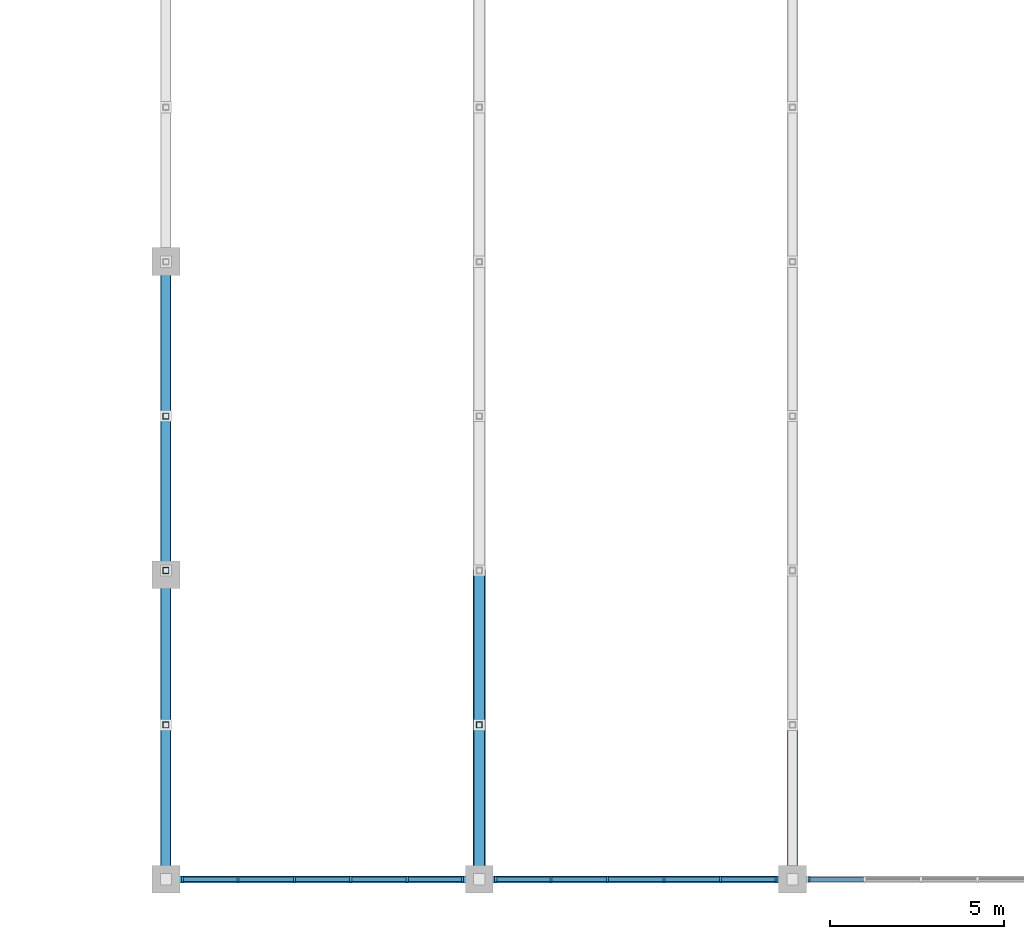
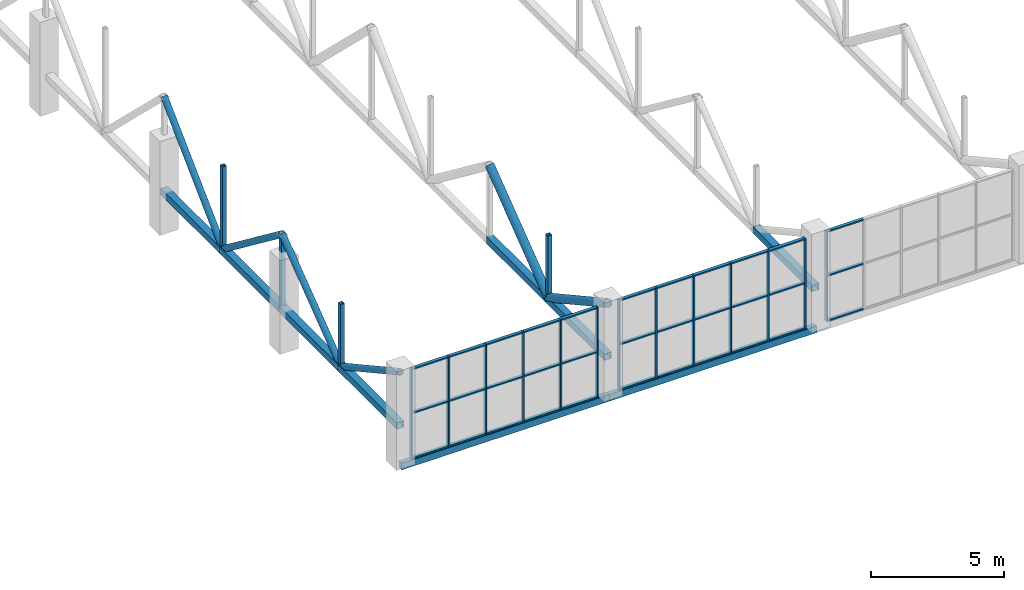
# One storey, part 15 of 103: 63 members, 2 beams, 3 elements without a shape of their own.
"""IFC4 building model written with IfcOpenShell, lengths in metres."""

import ifcopenshell
import ifcopenshell.guid

model = None  # the IFC model being written
_history = None  # IfcOwnerHistory: only IFC2X3 demands one
_inside = {}  # id of a spatial element -> (the spatial element, [elements in it])
_under = {}  # id of a project, library or spatial element -> (it, [spatial elements below it])
_declared = {}  # id of a project -> (the project, [libraries it declares])
_typed = {}  # id of a type object -> (the type object, [elements of that type])
_made_of = {}  # id of a material, layer set ... -> (it, [elements and type objects made of it])


def new_model(schema):
    """Start an empty IFC model of exactly this schema.

    Asked for "IFC4X3", IfcOpenShell would pick the latest addendum, in which some entities
    have other attributes; the version numbers below select the first issue.
    IFC2X3 requires an IfcOwnerHistory on every rooted entity: one is made here for all.
    """
    global model, _history
    if schema == "IFC4X3":
        model = ifcopenshell.file(schema_version=(4, 3, 0, 0))
    else:
        model = ifcopenshell.file(schema=schema)
    _inside.clear()
    _under.clear()
    _declared.clear()
    _typed.clear()
    _made_of.clear()
    _history = None
    if model.schema == "IFC2X3":
        org = make("IfcOrganization", Name="unknown")
        user = make(
            "IfcPersonAndOrganization",
            ThePerson=make("IfcPerson", FamilyName="unknown"),
            TheOrganization=org,
        )
        app = make(
            "IfcApplication",
            ApplicationDeveloper=org,
            Version="unknown",
            ApplicationFullName="unknown",
            ApplicationIdentifier="unknown",
        )
        _history = make(
            "IfcOwnerHistory",
            OwningUser=user,
            OwningApplication=app,
            ChangeAction="ADDED",
            CreationDate=0,
        )
    return model


def make(cls, **values):
    """One entity of the class cls with the attributes given. An attribute that is None is left unset."""
    return model.create_entity(
        cls, **{name: value for name, value in values.items() if value is not None}
    )


def rooted(cls, **values):
    """An entity with a GlobalId (a new one), such as an element, a storey or a relation."""
    return make(cls, GlobalId=ifcopenshell.guid.new(), OwnerHistory=_history, **values)


def si_unit(unit_type, name, prefix=None):
    """IfcSIUnit, for example si_unit("LENGTHUNIT", "METRE", prefix="MILLI")."""
    return make("IfcSIUnit", UnitType=unit_type, Prefix=prefix, Name=name)


def assignment(units):
    """IfcUnitAssignment: the units of a project."""
    return None if units is None else make("IfcUnitAssignment", Units=units)


def point(xyz):
    """IfcCartesianPoint."""
    return None if xyz is None else make("IfcCartesianPoint", Coordinates=xyz)


def direction(xyz):
    """IfcDirection."""
    return None if xyz is None else make("IfcDirection", DirectionRatios=xyz)


def frame(location, z_axis=None, x_axis=None):
    """IfcAxis2Placement3D, a coordinate frame: its origin and axes. An axis left out is left unset."""
    return make(
        "IfcAxis2Placement3D",
        Location=point(location),
        Axis=direction(z_axis),
        RefDirection=direction(x_axis),
    )


def frame_2d(location, x_axis=None):
    """IfcAxis2Placement2D, a coordinate frame in the plane: its origin and x axis."""
    return make(
        "IfcAxis2Placement2D", Location=point(location), RefDirection=direction(x_axis)
    )


def origin():
    """The frame at (0, 0, 0) with its axes left unset."""
    return frame((0.0, 0.0, 0.0))


def origin_2d():
    """The frame at (0, 0) in the plane with its x axis left unset."""
    return frame_2d((0.0, 0.0))


def place(relative_to, where):
    """IfcLocalPlacement: puts the frame where relative to a parent placement (None: the world)."""
    return make(
        "IfcLocalPlacement", PlacementRelTo=relative_to, RelativePlacement=where
    )


def context(
    kind, dimensions, precision=None, world=None, true_north=None, identifier=None
):
    """IfcGeometricRepresentationContext, for example the 3D "Model" context."""
    return make(
        "IfcGeometricRepresentationContext",
        ContextIdentifier=identifier,
        ContextType=kind,
        CoordinateSpaceDimension=dimensions,
        Precision=precision,
        WorldCoordinateSystem=world,
        TrueNorth=true_north,
    )


def subcontext(parent, identifier, kind, view, scale=None):
    """IfcGeometricRepresentationSubContext, for example "Body" below "Model"."""
    return make(
        "IfcGeometricRepresentationSubContext",
        ContextIdentifier=identifier,
        ContextType=kind,
        ParentContext=parent,
        TargetScale=scale,
        TargetView=view,
    )


def project(units=None, contexts=None):
    """IfcProject with its units and contexts."""
    return rooted(
        "IfcProject",
        Name="project",
        RepresentationContexts=contexts,
        UnitsInContext=assignment(units),
    )


def spatial(cls, under=None, at=None, **own):
    """A site, building, storey or space (cls), placed at a placement, below another one or the project."""
    s = rooted(cls, ObjectPlacement=at, **own)
    if under is not None:
        _under.setdefault(under.id(), (under, []))[1].append(s)
    return s


def profile(cls, at=None, kind="AREA", **sizes):
    """A parametric profile (cls). Its sizes go by their IFC names, for example OverallWidth=200.0."""
    return make(cls, ProfileType=kind, Position=at, **sizes)


def rectangle(**sizes):
    """IfcRectangleProfileDef."""
    return profile("IfcRectangleProfileDef", **sizes)


def hollow_rectangle(**sizes):
    """IfcRectangleHollowProfileDef."""
    return profile("IfcRectangleHollowProfileDef", **sizes)


def hollow_circle(**sizes):
    """IfcCircleHollowProfileDef."""
    return profile("IfcCircleHollowProfileDef", **sizes)


def extrude(swept, where, along, depth):
    """IfcExtrudedAreaSolid: the profile swept, set in the frame where, extruded along a direction by depth."""
    return make(
        "IfcExtrudedAreaSolid",
        SweptArea=swept,
        Position=where,
        ExtrudedDirection=direction(along),
        Depth=depth,
    )


def shape(context_of_items, identifier, shape_type, items):
    """IfcShapeRepresentation: the items that make up one representation, for example the "Body"."""
    return make(
        "IfcShapeRepresentation",
        ContextOfItems=context_of_items,
        RepresentationIdentifier=identifier,
        RepresentationType=shape_type,
        Items=items,
    )


def material(Name=None, Category=None):
    """IfcMaterial."""
    return make("IfcMaterial", Name=Name, Category=Category)


def layer(
    of_material, thickness, ventilated=None, Name=None, Category=None, Priority=None
):
    """IfcMaterialLayer: one layer of a wall or slab, of a material (None: an air gap)."""
    return make(
        "IfcMaterialLayer",
        Material=of_material,
        LayerThickness=thickness,
        IsVentilated=ventilated,
        Name=Name,
        Category=Category,
        Priority=Priority,
    )


def layer_set(layers, Name=None):
    """IfcMaterialLayerSet."""
    return make("IfcMaterialLayerSet", MaterialLayers=layers, LayerSetName=Name)


def material_profile(
    of_material, cross_section, Name=None, Category=None, Priority=None
):
    """IfcMaterialProfile: a cross section and its material."""
    return make(
        "IfcMaterialProfile",
        Name=Name,
        Material=of_material,
        Profile=cross_section,
        Priority=Priority,
        Category=Category,
    )


def profile_set(profiles, Name=None, composite=None):
    """IfcMaterialProfileSet."""
    return make(
        "IfcMaterialProfileSet",
        Name=Name,
        MaterialProfiles=profiles,
        CompositeProfile=composite,
    )


def made_of(thing, what):
    """Note that an element or type object is made of a material, layer set ...; save() writes the relation."""
    if what is not None:
        _made_of.setdefault(what.id(), (what, []))[1].append(thing)
    return thing


def type_object(cls, material=None, **own):
    """A type object (cls), such as IfcWallType, which elements share."""
    return made_of(rooted(cls, **own), material)


def element(
    cls,
    number,
    at=None,
    inside=None,
    cuts=None,
    type_object=None,
    material=None,
    context=None,
    identifier="Body",
    shape_type=None,
    held_by="IfcProductDefinitionShape",
    body=None,
    shapes=None,
    **own,
):
    """One element of the class cls, such as IfcWall. Its Tag is "e" and its number.

    at: its placement. inside: the storey or other place that contains it. cuts: it is an
    opening in that element (IfcRelVoidsElement). A single representation is given by context,
    identifier, shape_type and body (its items); several are given by shapes. held_by: the class
    of the entity that holds the representations. save() writes the other relations.
    """
    e = rooted(cls, Tag="e%d" % number, ObjectPlacement=at, **own)
    if body is not None:
        shapes = [shape(context, identifier, shape_type, body)]
    if shapes is not None:
        e.Representation = make(held_by, Representations=shapes)
    if inside is not None:
        _inside.setdefault(inside.id(), (inside, []))[1].append(e)
    if cuts is not None:
        rooted(
            "IfcRelVoidsElement", RelatingBuildingElement=cuts, RelatedOpeningElement=e
        )
    if type_object is not None:
        _typed.setdefault(type_object.id(), (type_object, []))[1].append(e)
    return made_of(e, material)


def aggregate(whole, parts):
    """IfcRelAggregates: a whole, such as a stair, and the parts it consists of."""
    return rooted("IfcRelAggregates", RelatingObject=whole, RelatedObjects=parts)


def save(model, path):
    """Write the relations noted so far, then the file.

    IfcRelAggregates (storeys below a building ...), IfcRelContainedInSpatialStructure (elements
    in a storey), IfcRelDefinesByType, IfcRelAssociatesMaterial and IfcRelDeclares: one each for
    every whole, place, type object, material and project.
    """
    for whole, parts in _under.values():
        aggregate(whole, parts)
    for where, things in _inside.values():
        rooted(
            "IfcRelContainedInSpatialStructure",
            RelatedElements=things,
            RelatingStructure=where,
        )
    for kind, things in _typed.values():
        rooted("IfcRelDefinesByType", RelatedObjects=things, RelatingType=kind)
    for what, things in _made_of.values():
        rooted("IfcRelAssociatesMaterial", RelatedObjects=things, RelatingMaterial=what)
    for by, libraries in _declared.values():
        rooted("IfcRelDeclares", RelatingContext=by, RelatedDefinitions=libraries)
    model.write(path)


model = new_model("IFC4")

# Units and contexts
model_context = context("Model", 3, precision=1e-05, world=origin(), true_north=direction((0.0, 1.0)))
body_context = subcontext(model_context, "Body", "Model", "MODEL_VIEW")
ifc_project = project(units=[si_unit("LENGTHUNIT", "METRE"), si_unit("AREAUNIT", "SQUARE_METRE"), si_unit("VOLUMEUNIT", "CUBIC_METRE"), si_unit("PLANEANGLEUNIT", "RADIAN"), si_unit("MASSUNIT", "GRAM", prefix="KILO")], contexts=[model_context])

# Site, building, storey
site_placement = place(None, origin())
site = spatial("IfcSite", under=ifc_project, at=site_placement, CompositionType="ELEMENT")
building_placement = place(site_placement, origin())
building = spatial("IfcBuilding", under=site, at=building_placement, Name="Cazmaro Siding Exhibition Halls", CompositionType="ELEMENT")
storey_placement = place(building_placement, frame((0.0, 0.0, 16.5)))
storey = spatial("IfcBuildingStorey", under=building, at=storey_placement, Name="L03", CompositionType="ELEMENT", Elevation=16.5)

# Curtain wall, members
ifc_material_1 = material(Name="Anodized Bronze Aluminum and Solar-Control Low-E Glazing", Category="aluminium")
ifc_layer = layer(ifc_material_1, 0.159912109375)
ifc_layer_set = layer_set([ifc_layer], Name="Anodized Bronze Aluminum and Solar-Control Low-E Glazing")
curtain_wall_type = type_object("IfcCurtainWallType", Name="CWS-04", PredefinedType="USERDEFINED", material=ifc_layer_set)
curtain_wall_1_placement = place(storey_placement, origin())
curtain_wall_1 = element("IfcCurtainWall", 1, at=curtain_wall_1_placement, inside=storey, type_object=curtain_wall_type, Name="Clerestory Curtain Wall CWS-04 CW-080", ObjectType="CLERESTORY CURTAIN WALL", PredefinedType="USERDEFINED")
ifc_material_2 = material(Name="Anodized Bronze Extruded Aluminum", Category="aluminium")
ifc_material_profile_1 = material_profile(ifc_material_2, rectangle(XDim=0.159912109375, YDim=0.06005859375, at=origin_2d()), Name="CWM-04")
ifc_profile_set_1 = profile_set([ifc_material_profile_1], Name="Anodized Bronze Extruded Aluminum")
member_type_1 = type_object("IfcMemberType", Name="CWM-04", PredefinedType="MULLION", material=ifc_profile_set_1)
member_1_placement = place(storey_placement, frame((72.47509765625, 9.25, 0.0), z_axis=(0.0, 0.0, 1.0), x_axis=(0.0, 1.0, 0.0)))
member_1 = element("IfcMember", 2, at=member_1_placement, type_object=member_type_1, Name="CWS-04 mullion 1", PredefinedType="MULLION", context=body_context, shape_type="SweptSolid", body=[
    extrude(rectangle(XDim=0.159912109375, YDim=0.06005859375, at=origin_2d()), origin(), (0.0, 0.0, 1.0), 4.14990234375),
])
member_2_placement = place(storey_placement, frame((74.06689453125, 9.25, 0.0), z_axis=(0.0, 0.0, 1.0), x_axis=(0.0, 1.0, 0.0)))
member_2 = element("IfcMember", 3, at=member_2_placement, type_object=member_type_1, Name="CWS-04 mullion 2", PredefinedType="MULLION", context=body_context, shape_type="SweptSolid", body=[
    extrude(rectangle(XDim=0.159912109375, YDim=0.06005859375, at=origin_2d()), origin(), (0.0, 0.0, 1.0), 4.14990234375),
])
member_3_placement = place(storey_placement, frame((75.68896484375, 9.25, 0.0), z_axis=(0.0, 0.0, 1.0), x_axis=(0.0, 1.0, 0.0)))
member_3 = element("IfcMember", 4, at=member_3_placement, type_object=member_type_1, Name="CWS-04 mullion 3", PredefinedType="MULLION", context=body_context, shape_type="SweptSolid", body=[
    extrude(rectangle(XDim=0.159912109375, YDim=0.06005859375, at=origin_2d()), origin(), (0.0, 0.0, 1.0), 4.14990234375),
])
member_4_placement = place(storey_placement, frame((77.31103515625, 9.25, 0.0), z_axis=(0.0, 0.0, 1.0), x_axis=(0.0, 1.0, 0.0)))
member_4 = element("IfcMember", 5, at=member_4_placement, type_object=member_type_1, Name="CWS-04 mullion 4", PredefinedType="MULLION", context=body_context, shape_type="SweptSolid", body=[
    extrude(rectangle(XDim=0.159912109375, YDim=0.06005859375, at=origin_2d()), origin(), (0.0, 0.0, 1.0), 4.14990234375),
])
member_5_placement = place(storey_placement, frame((78.93310546875, 9.25, 0.0), z_axis=(0.0, 0.0, 1.0), x_axis=(0.0, 1.0, 0.0)))
member_5 = element("IfcMember", 6, at=member_5_placement, type_object=member_type_1, Name="CWS-04 mullion 5", PredefinedType="MULLION", context=body_context, shape_type="SweptSolid", body=[
    extrude(rectangle(XDim=0.159912109375, YDim=0.06005859375, at=origin_2d()), origin(), (0.0, 0.0, 1.0), 4.14990234375),
])
member_6_placement = place(storey_placement, frame((80.52490234375, 9.25, 0.0), z_axis=(0.0, 0.0, 1.0), x_axis=(0.0, 1.0, 0.0)))
member_6 = element("IfcMember", 7, at=member_6_placement, type_object=member_type_1, Name="CWS-04 mullion 6", PredefinedType="MULLION", context=body_context, shape_type="SweptSolid", body=[
    extrude(rectangle(XDim=0.159912109375, YDim=0.06005859375, at=origin_2d()), origin(), (0.0, 0.0, 1.0), 4.14990234375),
])

curtain_wall_2_placement = place(storey_placement, origin())
curtain_wall_2 = element("IfcCurtainWall", 8, at=curtain_wall_2_placement, inside=storey, type_object=curtain_wall_type, Name="Clerestory Curtain Wall CWS-04 CW-082", ObjectType="CLERESTORY CURTAIN WALL", PredefinedType="USERDEFINED")
member_7_placement = place(storey_placement, frame((81.47509765625, 9.25, 0.0), z_axis=(0.0, 0.0, 1.0), x_axis=(0.0, 1.0, 0.0)))
member_7 = element("IfcMember", 9, at=member_7_placement, type_object=member_type_1, Name="CWS-04 mullion 1", PredefinedType="MULLION", context=body_context, shape_type="SweptSolid", body=[
    extrude(rectangle(XDim=0.159912109375, YDim=0.06005859375, at=origin_2d()), origin(), (0.0, 0.0, 1.0), 4.14990234375),
])
member_8_placement = place(storey_placement, frame((83.06689453125, 9.25, 0.0), z_axis=(0.0, 0.0, 1.0), x_axis=(0.0, 1.0, 0.0)))
member_8 = element("IfcMember", 10, at=member_8_placement, type_object=member_type_1, Name="CWS-04 mullion 2", PredefinedType="MULLION", context=body_context, shape_type="SweptSolid", body=[
    extrude(rectangle(XDim=0.159912109375, YDim=0.06005859375, at=origin_2d()), origin(), (0.0, 0.0, 1.0), 4.14990234375),
])
member_9_placement = place(storey_placement, frame((84.68896484375, 9.25, 0.0), z_axis=(0.0, 0.0, 1.0), x_axis=(0.0, 1.0, 0.0)))
member_9 = element("IfcMember", 11, at=member_9_placement, type_object=member_type_1, Name="CWS-04 mullion 3", PredefinedType="MULLION", context=body_context, shape_type="SweptSolid", body=[
    extrude(rectangle(XDim=0.159912109375, YDim=0.06005859375, at=origin_2d()), origin(), (0.0, 0.0, 1.0), 4.14990234375),
])
member_10_placement = place(storey_placement, frame((86.31103515625, 9.25, 0.0), z_axis=(0.0, 0.0, 1.0), x_axis=(0.0, 1.0, 0.0)))
member_10 = element("IfcMember", 12, at=member_10_placement, type_object=member_type_1, Name="CWS-04 mullion 4", PredefinedType="MULLION", context=body_context, shape_type="SweptSolid", body=[
    extrude(rectangle(XDim=0.159912109375, YDim=0.06005859375, at=origin_2d()), origin(), (0.0, 0.0, 1.0), 4.14990234375),
])
member_11_placement = place(storey_placement, frame((87.93310546875, 9.25, 0.0), z_axis=(0.0, 0.0, 1.0), x_axis=(0.0, 1.0, 0.0)))
member_11 = element("IfcMember", 13, at=member_11_placement, type_object=member_type_1, Name="CWS-04 mullion 5", PredefinedType="MULLION", context=body_context, shape_type="SweptSolid", body=[
    extrude(rectangle(XDim=0.159912109375, YDim=0.06005859375, at=origin_2d()), origin(), (0.0, 0.0, 1.0), 4.14990234375),
])
member_12_placement = place(storey_placement, frame((89.52490234375, 9.25, 0.0), z_axis=(0.0, 0.0, 1.0), x_axis=(0.0, 1.0, 0.0)))
member_12 = element("IfcMember", 14, at=member_12_placement, type_object=member_type_1, Name="CWS-04 mullion 6", PredefinedType="MULLION", context=body_context, shape_type="SweptSolid", body=[
    extrude(rectangle(XDim=0.159912109375, YDim=0.06005859375, at=origin_2d()), origin(), (0.0, 0.0, 1.0), 4.14990234375),
])

# Curtain wall, member
curtain_wall_3_placement = place(storey_placement, origin())
curtain_wall_3 = element("IfcCurtainWall", 15, at=curtain_wall_3_placement, inside=storey, type_object=curtain_wall_type, Name="Clerestory Curtain Wall CWS-04 CW-084", ObjectType="CLERESTORY CURTAIN WALL", PredefinedType="USERDEFINED")
member_13_placement = place(storey_placement, frame((90.47509765625, 9.25, 0.0), z_axis=(0.0, 0.0, 1.0), x_axis=(0.0, 1.0, 0.0)))
member_13 = element("IfcMember", 16, at=member_13_placement, type_object=member_type_1, Name="CWS-04 mullion 1", PredefinedType="MULLION", context=body_context, shape_type="SweptSolid", body=[
    extrude(rectangle(XDim=0.159912109375, YDim=0.06005859375, at=origin_2d()), origin(), (0.0, 0.0, 1.0), 4.14990234375),
])

# Member
ifc_material_3 = material(Name="Anodized Bronze Extruded Aluminum", Category="aluminium")
ifc_material_profile_2 = material_profile(ifc_material_3, rectangle(XDim=0.139892578125, YDim=0.06005859375, at=origin_2d()), Name="CWT-04")
ifc_profile_set_2 = profile_set([ifc_material_profile_2], Name="Anodized Bronze Extruded Aluminum")
member_type_2 = type_object("IfcMemberType", Name="CWT-04", PredefinedType="MULLION", material=ifc_profile_set_2)
member_14_placement = place(storey_placement, frame((72.5048828125, 9.25, 0.030029296875), z_axis=(1.0, 0.0, 0.0), x_axis=(0.0, 1.0, 0.0)))
member_14 = element("IfcMember", 17, at=member_14_placement, type_object=member_type_2, Name="CWS-04 transom 1.1", ObjectType="TRANSOM", PredefinedType="USERDEFINED", context=body_context, shape_type="SweptSolid", body=[
    extrude(rectangle(XDim=0.139892578125, YDim=0.06005859375, at=origin_2d()), origin(), (0.0, 0.0, 1.0), 1.5322265625),
])

member_15_placement = place(storey_placement, frame((72.5048828125, 9.25, 2.10009765625), z_axis=(1.0, 0.0, 0.0), x_axis=(0.0, 1.0, 0.0)))
member_15 = element("IfcMember", 18, at=member_15_placement, type_object=member_type_2, Name="CWS-04 transom 1.2", ObjectType="TRANSOM", PredefinedType="USERDEFINED", context=body_context, shape_type="SweptSolid", body=[
    extrude(rectangle(XDim=0.139892578125, YDim=0.06005859375, at=origin_2d()), origin(), (0.0, 0.0, 1.0), 1.5322265625),
])

member_16_placement = place(storey_placement, frame((72.5048828125, 9.25, 4.1201171875), z_axis=(1.0, 0.0, 0.0), x_axis=(0.0, 1.0, 0.0)))
member_16 = element("IfcMember", 19, at=member_16_placement, type_object=member_type_2, Name="CWS-04 transom 1.3", ObjectType="TRANSOM", PredefinedType="USERDEFINED", context=body_context, shape_type="SweptSolid", body=[
    extrude(rectangle(XDim=0.139892578125, YDim=0.06005859375, at=origin_2d()), origin(), (0.0, 0.0, 1.0), 1.5322265625),
])

member_17_placement = place(storey_placement, frame((74.096923828125, 9.25, 0.030029296875), z_axis=(1.0, 0.0, 0.0), x_axis=(0.0, 1.0, 0.0)))
member_17 = element("IfcMember", 20, at=member_17_placement, type_object=member_type_2, Name="CWS-04 transom 2.1", ObjectType="TRANSOM", PredefinedType="USERDEFINED", context=body_context, shape_type="SweptSolid", body=[
    extrude(rectangle(XDim=0.139892578125, YDim=0.06005859375, at=origin_2d()), origin(), (0.0, 0.0, 1.0), 1.56201171875),
])

member_18_placement = place(storey_placement, frame((74.096923828125, 9.25, 2.10009765625), z_axis=(1.0, 0.0, 0.0), x_axis=(0.0, 1.0, 0.0)))
member_18 = element("IfcMember", 21, at=member_18_placement, type_object=member_type_2, Name="CWS-04 transom 2.2", ObjectType="TRANSOM", PredefinedType="USERDEFINED", context=body_context, shape_type="SweptSolid", body=[
    extrude(rectangle(XDim=0.139892578125, YDim=0.06005859375, at=origin_2d()), origin(), (0.0, 0.0, 1.0), 1.56201171875),
])

member_19_placement = place(storey_placement, frame((74.096923828125, 9.25, 4.1201171875), z_axis=(1.0, 0.0, 0.0), x_axis=(0.0, 1.0, 0.0)))
member_19 = element("IfcMember", 22, at=member_19_placement, type_object=member_type_2, Name="CWS-04 transom 2.3", ObjectType="TRANSOM", PredefinedType="USERDEFINED", context=body_context, shape_type="SweptSolid", body=[
    extrude(rectangle(XDim=0.139892578125, YDim=0.06005859375, at=origin_2d()), origin(), (0.0, 0.0, 1.0), 1.56201171875),
])

member_20_placement = place(storey_placement, frame((75.718994140625, 9.25, 0.030029296875), z_axis=(1.0, 0.0, 0.0), x_axis=(0.0, 1.0, 0.0)))
member_20 = element("IfcMember", 23, at=member_20_placement, type_object=member_type_2, Name="CWS-04 transom 3.1", ObjectType="TRANSOM", PredefinedType="USERDEFINED", context=body_context, shape_type="SweptSolid", body=[
    extrude(rectangle(XDim=0.139892578125, YDim=0.06005859375, at=origin_2d()), origin(), (0.0, 0.0, 1.0), 1.56201171875),
])

member_21_placement = place(storey_placement, frame((75.718994140625, 9.25, 2.10009765625), z_axis=(1.0, 0.0, 0.0), x_axis=(0.0, 1.0, 0.0)))
member_21 = element("IfcMember", 24, at=member_21_placement, type_object=member_type_2, Name="CWS-04 transom 3.2", ObjectType="TRANSOM", PredefinedType="USERDEFINED", context=body_context, shape_type="SweptSolid", body=[
    extrude(rectangle(XDim=0.139892578125, YDim=0.06005859375, at=origin_2d()), origin(), (0.0, 0.0, 1.0), 1.56201171875),
])

member_22_placement = place(storey_placement, frame((75.718994140625, 9.25, 4.1201171875), z_axis=(1.0, 0.0, 0.0), x_axis=(0.0, 1.0, 0.0)))
member_22 = element("IfcMember", 25, at=member_22_placement, type_object=member_type_2, Name="CWS-04 transom 3.3", ObjectType="TRANSOM", PredefinedType="USERDEFINED", context=body_context, shape_type="SweptSolid", body=[
    extrude(rectangle(XDim=0.139892578125, YDim=0.06005859375, at=origin_2d()), origin(), (0.0, 0.0, 1.0), 1.56201171875),
])

member_23_placement = place(storey_placement, frame((77.341064453125, 9.25, 0.030029296875), z_axis=(1.0, 0.0, 0.0), x_axis=(0.0, 1.0, 0.0)))
member_23 = element("IfcMember", 26, at=member_23_placement, type_object=member_type_2, Name="CWS-04 transom 4.1", ObjectType="TRANSOM", PredefinedType="USERDEFINED", context=body_context, shape_type="SweptSolid", body=[
    extrude(rectangle(XDim=0.139892578125, YDim=0.06005859375, at=origin_2d()), origin(), (0.0, 0.0, 1.0), 1.56201171875),
])

member_24_placement = place(storey_placement, frame((77.341064453125, 9.25, 2.10009765625), z_axis=(1.0, 0.0, 0.0), x_axis=(0.0, 1.0, 0.0)))
member_24 = element("IfcMember", 27, at=member_24_placement, type_object=member_type_2, Name="CWS-04 transom 4.2", ObjectType="TRANSOM", PredefinedType="USERDEFINED", context=body_context, shape_type="SweptSolid", body=[
    extrude(rectangle(XDim=0.139892578125, YDim=0.06005859375, at=origin_2d()), origin(), (0.0, 0.0, 1.0), 1.56201171875),
])

member_25_placement = place(storey_placement, frame((77.341064453125, 9.25, 4.1201171875), z_axis=(1.0, 0.0, 0.0), x_axis=(0.0, 1.0, 0.0)))
member_25 = element("IfcMember", 28, at=member_25_placement, type_object=member_type_2, Name="CWS-04 transom 4.3", ObjectType="TRANSOM", PredefinedType="USERDEFINED", context=body_context, shape_type="SweptSolid", body=[
    extrude(rectangle(XDim=0.139892578125, YDim=0.06005859375, at=origin_2d()), origin(), (0.0, 0.0, 1.0), 1.56201171875),
])

member_26_placement = place(storey_placement, frame((78.962890625, 9.25, 0.030029296875), z_axis=(1.0, 0.0, 0.0), x_axis=(0.0, 1.0, 0.0)))
member_26 = element("IfcMember", 29, at=member_26_placement, type_object=member_type_2, Name="CWS-04 transom 5.1", ObjectType="TRANSOM", PredefinedType="USERDEFINED", context=body_context, shape_type="SweptSolid", body=[
    extrude(rectangle(XDim=0.139892578125, YDim=0.06005859375, at=origin_2d()), origin(), (0.0, 0.0, 1.0), 1.5322265625),
])

member_27_placement = place(storey_placement, frame((78.962890625, 9.25, 2.10009765625), z_axis=(1.0, 0.0, 0.0), x_axis=(0.0, 1.0, 0.0)))
member_27 = element("IfcMember", 30, at=member_27_placement, type_object=member_type_2, Name="CWS-04 transom 5.2", ObjectType="TRANSOM", PredefinedType="USERDEFINED", context=body_context, shape_type="SweptSolid", body=[
    extrude(rectangle(XDim=0.139892578125, YDim=0.06005859375, at=origin_2d()), origin(), (0.0, 0.0, 1.0), 1.5322265625),
])

member_28_placement = place(storey_placement, frame((78.962890625, 9.25, 4.1201171875), z_axis=(1.0, 0.0, 0.0), x_axis=(0.0, 1.0, 0.0)))
member_28 = element("IfcMember", 31, at=member_28_placement, type_object=member_type_2, Name="CWS-04 transom 5.3", ObjectType="TRANSOM", PredefinedType="USERDEFINED", context=body_context, shape_type="SweptSolid", body=[
    extrude(rectangle(XDim=0.139892578125, YDim=0.06005859375, at=origin_2d()), origin(), (0.0, 0.0, 1.0), 1.5322265625),
])

aggregate(curtain_wall_1, [member_1, member_2, member_3, member_4, member_5, member_6, member_14, member_15, member_16, member_17, member_18, member_19, member_20, member_21, member_22, member_23, member_24, member_25, member_26, member_27, member_28])

member_29_placement = place(storey_placement, frame((81.5048828125, 9.25, 0.030029296875), z_axis=(1.0, 0.0, 0.0), x_axis=(0.0, 1.0, 0.0)))
member_29 = element("IfcMember", 32, at=member_29_placement, type_object=member_type_2, Name="CWS-04 transom 1.1", ObjectType="TRANSOM", PredefinedType="USERDEFINED", context=body_context, shape_type="SweptSolid", body=[
    extrude(rectangle(XDim=0.139892578125, YDim=0.06005859375, at=origin_2d()), origin(), (0.0, 0.0, 1.0), 1.5322265625),
])

member_30_placement = place(storey_placement, frame((81.5048828125, 9.25, 2.10009765625), z_axis=(1.0, 0.0, 0.0), x_axis=(0.0, 1.0, 0.0)))
member_30 = element("IfcMember", 33, at=member_30_placement, type_object=member_type_2, Name="CWS-04 transom 1.2", ObjectType="TRANSOM", PredefinedType="USERDEFINED", context=body_context, shape_type="SweptSolid", body=[
    extrude(rectangle(XDim=0.139892578125, YDim=0.06005859375, at=origin_2d()), origin(), (0.0, 0.0, 1.0), 1.5322265625),
])

member_31_placement = place(storey_placement, frame((81.5048828125, 9.25, 4.1201171875), z_axis=(1.0, 0.0, 0.0), x_axis=(0.0, 1.0, 0.0)))
member_31 = element("IfcMember", 34, at=member_31_placement, type_object=member_type_2, Name="CWS-04 transom 1.3", ObjectType="TRANSOM", PredefinedType="USERDEFINED", context=body_context, shape_type="SweptSolid", body=[
    extrude(rectangle(XDim=0.139892578125, YDim=0.06005859375, at=origin_2d()), origin(), (0.0, 0.0, 1.0), 1.5322265625),
])

member_32_placement = place(storey_placement, frame((83.096923828125, 9.25, 0.030029296875), z_axis=(1.0, 0.0, 0.0), x_axis=(0.0, 1.0, 0.0)))
member_32 = element("IfcMember", 35, at=member_32_placement, type_object=member_type_2, Name="CWS-04 transom 2.1", ObjectType="TRANSOM", PredefinedType="USERDEFINED", context=body_context, shape_type="SweptSolid", body=[
    extrude(rectangle(XDim=0.139892578125, YDim=0.06005859375, at=origin_2d()), origin(), (0.0, 0.0, 1.0), 1.56201171875),
])

member_33_placement = place(storey_placement, frame((83.096923828125, 9.25, 2.10009765625), z_axis=(1.0, 0.0, 0.0), x_axis=(0.0, 1.0, 0.0)))
member_33 = element("IfcMember", 36, at=member_33_placement, type_object=member_type_2, Name="CWS-04 transom 2.2", ObjectType="TRANSOM", PredefinedType="USERDEFINED", context=body_context, shape_type="SweptSolid", body=[
    extrude(rectangle(XDim=0.139892578125, YDim=0.06005859375, at=origin_2d()), origin(), (0.0, 0.0, 1.0), 1.56201171875),
])

member_34_placement = place(storey_placement, frame((83.096923828125, 9.25, 4.1201171875), z_axis=(1.0, 0.0, 0.0), x_axis=(0.0, 1.0, 0.0)))
member_34 = element("IfcMember", 37, at=member_34_placement, type_object=member_type_2, Name="CWS-04 transom 2.3", ObjectType="TRANSOM", PredefinedType="USERDEFINED", context=body_context, shape_type="SweptSolid", body=[
    extrude(rectangle(XDim=0.139892578125, YDim=0.06005859375, at=origin_2d()), origin(), (0.0, 0.0, 1.0), 1.56201171875),
])

member_35_placement = place(storey_placement, frame((84.718994140625, 9.25, 0.030029296875), z_axis=(1.0, 0.0, 0.0), x_axis=(0.0, 1.0, 0.0)))
member_35 = element("IfcMember", 38, at=member_35_placement, type_object=member_type_2, Name="CWS-04 transom 3.1", ObjectType="TRANSOM", PredefinedType="USERDEFINED", context=body_context, shape_type="SweptSolid", body=[
    extrude(rectangle(XDim=0.139892578125, YDim=0.06005859375, at=origin_2d()), origin(), (0.0, 0.0, 1.0), 1.56201171875),
])

member_36_placement = place(storey_placement, frame((84.718994140625, 9.25, 2.10009765625), z_axis=(1.0, 0.0, 0.0), x_axis=(0.0, 1.0, 0.0)))
member_36 = element("IfcMember", 39, at=member_36_placement, type_object=member_type_2, Name="CWS-04 transom 3.2", ObjectType="TRANSOM", PredefinedType="USERDEFINED", context=body_context, shape_type="SweptSolid", body=[
    extrude(rectangle(XDim=0.139892578125, YDim=0.06005859375, at=origin_2d()), origin(), (0.0, 0.0, 1.0), 1.56201171875),
])

member_37_placement = place(storey_placement, frame((84.718994140625, 9.25, 4.1201171875), z_axis=(1.0, 0.0, 0.0), x_axis=(0.0, 1.0, 0.0)))
member_37 = element("IfcMember", 40, at=member_37_placement, type_object=member_type_2, Name="CWS-04 transom 3.3", ObjectType="TRANSOM", PredefinedType="USERDEFINED", context=body_context, shape_type="SweptSolid", body=[
    extrude(rectangle(XDim=0.139892578125, YDim=0.06005859375, at=origin_2d()), origin(), (0.0, 0.0, 1.0), 1.56201171875),
])

member_38_placement = place(storey_placement, frame((86.341064453125, 9.25, 0.030029296875), z_axis=(1.0, 0.0, 0.0), x_axis=(0.0, 1.0, 0.0)))
member_38 = element("IfcMember", 41, at=member_38_placement, type_object=member_type_2, Name="CWS-04 transom 4.1", ObjectType="TRANSOM", PredefinedType="USERDEFINED", context=body_context, shape_type="SweptSolid", body=[
    extrude(rectangle(XDim=0.139892578125, YDim=0.06005859375, at=origin_2d()), origin(), (0.0, 0.0, 1.0), 1.56201171875),
])

member_39_placement = place(storey_placement, frame((86.341064453125, 9.25, 2.10009765625), z_axis=(1.0, 0.0, 0.0), x_axis=(0.0, 1.0, 0.0)))
member_39 = element("IfcMember", 42, at=member_39_placement, type_object=member_type_2, Name="CWS-04 transom 4.2", ObjectType="TRANSOM", PredefinedType="USERDEFINED", context=body_context, shape_type="SweptSolid", body=[
    extrude(rectangle(XDim=0.139892578125, YDim=0.06005859375, at=origin_2d()), origin(), (0.0, 0.0, 1.0), 1.56201171875),
])

member_40_placement = place(storey_placement, frame((86.341064453125, 9.25, 4.1201171875), z_axis=(1.0, 0.0, 0.0), x_axis=(0.0, 1.0, 0.0)))
member_40 = element("IfcMember", 43, at=member_40_placement, type_object=member_type_2, Name="CWS-04 transom 4.3", ObjectType="TRANSOM", PredefinedType="USERDEFINED", context=body_context, shape_type="SweptSolid", body=[
    extrude(rectangle(XDim=0.139892578125, YDim=0.06005859375, at=origin_2d()), origin(), (0.0, 0.0, 1.0), 1.56201171875),
])

member_41_placement = place(storey_placement, frame((87.962890625, 9.25, 0.030029296875), z_axis=(1.0, 0.0, 0.0), x_axis=(0.0, 1.0, 0.0)))
member_41 = element("IfcMember", 44, at=member_41_placement, type_object=member_type_2, Name="CWS-04 transom 5.1", ObjectType="TRANSOM", PredefinedType="USERDEFINED", context=body_context, shape_type="SweptSolid", body=[
    extrude(rectangle(XDim=0.139892578125, YDim=0.06005859375, at=origin_2d()), origin(), (0.0, 0.0, 1.0), 1.5322265625),
])

member_42_placement = place(storey_placement, frame((87.962890625, 9.25, 2.10009765625), z_axis=(1.0, 0.0, 0.0), x_axis=(0.0, 1.0, 0.0)))
member_42 = element("IfcMember", 45, at=member_42_placement, type_object=member_type_2, Name="CWS-04 transom 5.2", ObjectType="TRANSOM", PredefinedType="USERDEFINED", context=body_context, shape_type="SweptSolid", body=[
    extrude(rectangle(XDim=0.139892578125, YDim=0.06005859375, at=origin_2d()), origin(), (0.0, 0.0, 1.0), 1.5322265625),
])

member_43_placement = place(storey_placement, frame((87.962890625, 9.25, 4.1201171875), z_axis=(1.0, 0.0, 0.0), x_axis=(0.0, 1.0, 0.0)))
member_43 = element("IfcMember", 46, at=member_43_placement, type_object=member_type_2, Name="CWS-04 transom 5.3", ObjectType="TRANSOM", PredefinedType="USERDEFINED", context=body_context, shape_type="SweptSolid", body=[
    extrude(rectangle(XDim=0.139892578125, YDim=0.06005859375, at=origin_2d()), origin(), (0.0, 0.0, 1.0), 1.5322265625),
])

aggregate(curtain_wall_2, [member_7, member_8, member_9, member_10, member_11, member_12, member_29, member_30, member_31, member_32, member_33, member_34, member_35, member_36, member_37, member_38, member_39, member_40, member_41, member_42, member_43])

member_44_placement = place(storey_placement, frame((90.5048828125, 9.25, 0.030029296875), z_axis=(1.0, 0.0, 0.0), x_axis=(0.0, 1.0, 0.0)))
member_44 = element("IfcMember", 47, at=member_44_placement, type_object=member_type_2, Name="CWS-04 transom 1.1", ObjectType="TRANSOM", PredefinedType="USERDEFINED", context=body_context, shape_type="SweptSolid", body=[
    extrude(rectangle(XDim=0.139892578125, YDim=0.06005859375, at=origin_2d()), origin(), (0.0, 0.0, 1.0), 1.5322265625),
])

member_45_placement = place(storey_placement, frame((90.5048828125, 9.25, 2.10009765625), z_axis=(1.0, 0.0, 0.0), x_axis=(0.0, 1.0, 0.0)))
member_45 = element("IfcMember", 48, at=member_45_placement, type_object=member_type_2, Name="CWS-04 transom 1.2", ObjectType="TRANSOM", PredefinedType="USERDEFINED", context=body_context, shape_type="SweptSolid", body=[
    extrude(rectangle(XDim=0.139892578125, YDim=0.06005859375, at=origin_2d()), origin(), (0.0, 0.0, 1.0), 1.5322265625),
])

member_46_placement = place(storey_placement, frame((90.5048828125, 9.25, 4.1201171875), z_axis=(1.0, 0.0, 0.0), x_axis=(0.0, 1.0, 0.0)))
member_46 = element("IfcMember", 49, at=member_46_placement, type_object=member_type_2, Name="CWS-04 transom 1.3", ObjectType="TRANSOM", PredefinedType="USERDEFINED", context=body_context, shape_type="SweptSolid", body=[
    extrude(rectangle(XDim=0.139892578125, YDim=0.06005859375, at=origin_2d()), origin(), (0.0, 0.0, 1.0), 1.5322265625),
])

aggregate(curtain_wall_3, [member_13, member_44, member_45, member_46])

# Beams
ifc_material_4 = material(Name="Steel ASTM A500 Grade C", Category="steel")
ifc_material_profile_3 = material_profile(ifc_material_4, hollow_rectangle(XDim=0.202880859375, YDim=0.304931640625, WallThickness=0.011962890625, at=origin_2d()), Name="HSS12X8X1/2")
ifc_profile_set_3 = profile_set([ifc_material_profile_3], Name="Steel ASTM A500 Grade C")
beam_type = type_object("IfcBeamType", Name="SP-01", PredefinedType="SPANDREL", material=ifc_profile_set_3)
for number, where, z_axis, x_axis, name in (
    (50, (72.0, 9.25, -0.152099609375), (1.0, 0.0, 0.0), (0.0, 1.0, 0.0), "Beam SP-01 BM-1483"),
    (51, (81.0, 9.25, -0.152099609375), (1.0, 0.0, 0.0), (0.0, 1.0, 0.0), "Beam SP-01 BM-1487"),
):
    element("IfcBeam", number, at=place(storey_placement, frame(where, z_axis=z_axis, x_axis=x_axis)), inside=storey, type_object=beam_type, Name=name, PredefinedType="SPANDREL", context=body_context, shape_type="SweptSolid", body=[
        extrude(hollow_rectangle(XDim=0.202880859375, YDim=0.304931640625, WallThickness=0.011962890625, at=origin_2d()), origin(), (0.0, 0.0, 1.0), 9.0),
    ])

# Members
ifc_material_5 = material(Name="Steel ASTM A500 Grade C", Category="steel")
ifc_material_profile_4 = material_profile(ifc_material_5, hollow_rectangle(XDim=0.304931640625, YDim=0.304931640625, WallThickness=0.014892578125, at=origin_2d()), Name="HSS12X12X5/8")
ifc_profile_set_4 = profile_set([ifc_material_profile_4], Name="Steel ASTM A500 Grade C")
member_type_3 = type_object("IfcMemberType", Name="TC-02", PredefinedType="CHORD", material=ifc_profile_set_4)
for number, where, z_axis, x_axis, name in (
    (52, (72.0, 9.25, 1.699951171875), (0.0, 1.0, 0.0), (-1.0, 0.0, 0.0), "Warren roof truss bottom chord TC-02 MEM-2303"),
    (53, (72.0, 13.68505859375, 1.699951171875), (0.0, 1.0, 0.0), (-1.0, 0.0, 0.0), "Warren roof truss bottom chord TC-02 MEM-2306"),
):
    element("IfcMember", number, at=place(storey_placement, frame(where, z_axis=z_axis, x_axis=x_axis)), inside=storey, type_object=member_type_3, Name=name, PredefinedType="CHORD", context=body_context, shape_type="SweptSolid", body=[
        extrude(hollow_rectangle(XDim=0.304931640625, YDim=0.304931640625, WallThickness=0.014892578125, at=origin_2d()), origin(), (0.0, 0.0, 1.0), 4.43505859375),
    ])
member_47_placement = place(storey_placement, frame((72.0, 18.1201171875, 1.699951171875), z_axis=(0.0, 1.0, 0.0), x_axis=(-1.0, 0.0, 0.0)))
element("IfcMember", 54, at=member_47_placement, inside=storey, type_object=member_type_3, Name="Warren roof truss bottom chord TC-02 MEM-2309", PredefinedType="CHORD", context=body_context, shape_type="SweptSolid", body=[
    extrude(hollow_rectangle(XDim=0.304931640625, YDim=0.304931640625, WallThickness=0.014892578125, at=origin_2d()), origin(), (0.0, 0.0, 1.0), 4.434814453125),
])
for number, where, z_axis, x_axis, name in (
    (55, (72.0, 22.554931640625, 1.699951171875), (0.0, 1.0, 0.0), (-1.0, 0.0, 0.0), "Warren roof truss bottom chord TC-02 MEM-2312"),
    (56, (81.0, 9.25, 1.699951171875), (0.0, 1.0, 0.0), (-1.0, 0.0, 0.0), "Warren roof truss bottom chord TC-02 MEM-2342"),
    (57, (81.0, 13.68505859375, 1.699951171875), (0.0, 1.0, 0.0), (-1.0, 0.0, 0.0), "Warren roof truss bottom chord TC-02 MEM-2345"),
    (58, (90.0, 9.25, 1.699951171875), (0.0, 1.0, 0.0), (-1.0, 0.0, 0.0), "Warren roof truss bottom chord TC-02 MEM-2381"),
):
    element("IfcMember", number, at=place(storey_placement, frame(where, z_axis=z_axis, x_axis=x_axis)), inside=storey, type_object=member_type_3, Name=name, PredefinedType="CHORD", context=body_context, shape_type="SweptSolid", body=[
        extrude(hollow_rectangle(XDim=0.304931640625, YDim=0.304931640625, WallThickness=0.014892578125, at=origin_2d()), origin(), (0.0, 0.0, 1.0), 4.43505859375),
    ])
ifc_material_6 = material(Name="Steel ASTM A500 Grade C", Category="steel")
ifc_material_profile_5 = material_profile(ifc_material_6, hollow_rectangle(XDim=0.177978515625, YDim=0.177978515625, WallThickness=0.011962890625, at=origin_2d()), Name="HSS7X7X1/2")
ifc_profile_set_5 = profile_set([ifc_material_profile_5], Name="Steel ASTM A500 Grade C")
member_type_4 = type_object("IfcMemberType", Name="TP-02", PredefinedType="POST", material=ifc_profile_set_5)
member_48_placement = place(storey_placement, frame((72.0, 13.68505859375, 1.699951171875), z_axis=(0.0, 0.0, 1.0), x_axis=(1.0, 0.0, 0.0)))
element("IfcMember", 59, at=member_48_placement, inside=storey, type_object=member_type_4, Name="Warren roof truss vertical TP-02 MEM-2332", PredefinedType="POST", context=body_context, shape_type="SweptSolid", body=[
    extrude(hollow_rectangle(XDim=0.177978515625, YDim=0.177978515625, WallThickness=0.011962890625, at=origin_2d()), origin(), (0.0, 0.0, 1.0), 2.906005859375),
])
member_49_placement = place(storey_placement, frame((72.0, 18.1201171875, 1.699951171875), z_axis=(0.0, 0.0, 1.0), x_axis=(1.0, 0.0, 0.0)))
element("IfcMember", 60, at=member_49_placement, inside=storey, type_object=member_type_4, Name="Warren roof truss vertical TP-02 MEM-2333", PredefinedType="POST", context=body_context, shape_type="SweptSolid", body=[
    extrude(hollow_rectangle(XDim=0.177978515625, YDim=0.177978515625, WallThickness=0.011962890625, at=origin_2d()), origin(), (0.0, 0.0, 1.0), 3.373046875),
])
member_50_placement = place(storey_placement, frame((72.0, 22.554931640625, 1.699951171875), z_axis=(0.0, 0.0, 1.0), x_axis=(1.0, 0.0, 0.0)))
element("IfcMember", 61, at=member_50_placement, inside=storey, type_object=member_type_4, Name="Warren roof truss vertical TP-02 MEM-2334", PredefinedType="POST", context=body_context, shape_type="SweptSolid", body=[
    extrude(hollow_rectangle(XDim=0.177978515625, YDim=0.177978515625, WallThickness=0.011962890625, at=origin_2d()), origin(), (0.0, 0.0, 1.0), 3.839111328125),
])
member_51_placement = place(storey_placement, frame((81.0, 13.68505859375, 1.699951171875), z_axis=(0.0, 0.0, 1.0), x_axis=(1.0, 0.0, 0.0)))
element("IfcMember", 62, at=member_51_placement, inside=storey, type_object=member_type_4, Name="Warren roof truss vertical TP-02 MEM-2371", PredefinedType="POST", context=body_context, shape_type="SweptSolid", body=[
    extrude(hollow_rectangle(XDim=0.177978515625, YDim=0.177978515625, WallThickness=0.011962890625, at=origin_2d()), origin(), (0.0, 0.0, 1.0), 2.906005859375),
])
ifc_material_7 = material(Name="Steel ASTM A500 Grade C", Category="steel")
ifc_material_profile_6 = material_profile(ifc_material_7, hollow_circle(Radius=0.136474609375, WallThickness=0.012939453125, at=origin_2d()), Name="PIPE10XS")
ifc_profile_set_6 = profile_set([ifc_material_profile_6], Name="Steel ASTM A500 Grade C")
member_type_5 = type_object("IfcMemberType", Name="WB-02", PredefinedType="BRACE", material=ifc_profile_set_6)
member_52_placement = place(storey_placement, frame((72.0, 9.25, 4.139892578125), z_axis=(0.0, 0.876160914294, -0.482018726051), x_axis=(-1.0, 0.0, 0.0)))
element("IfcMember", 63, at=member_52_placement, inside=storey, type_object=member_type_5, Name="Warren roof truss diagonal WB-02 MEM-2304", PredefinedType="BRACE", context=body_context, shape_type="SweptSolid", body=[
    extrude(hollow_circle(Radius=0.136474609375, WallThickness=0.012939453125, at=origin_2d()), origin(), (0.0, 0.0, 1.0), 5.06201171875),
])
member_53_placement = place(storey_placement, frame((72.0, 13.68505859375, 1.699951171875), z_axis=(0.0, 0.795954445209, 0.605356524002), x_axis=(-1.0, 0.0, 0.0)))
element("IfcMember", 64, at=member_53_placement, inside=storey, type_object=member_type_5, Name="Warren roof truss diagonal WB-02 MEM-2307", PredefinedType="BRACE", context=body_context, shape_type="SweptSolid", body=[
    extrude(hollow_circle(Radius=0.136474609375, WallThickness=0.012939453125, at=origin_2d()), origin(), (0.0, 0.0, 1.0), 5.572021484375),
])
member_54_placement = place(storey_placement, frame((72.0, 18.1201171875, 5.072998046875), z_axis=(0.0, 0.795938387852, -0.605377636475), x_axis=(-1.0, 0.0, 0.0)))
element("IfcMember", 65, at=member_54_placement, inside=storey, type_object=member_type_5, Name="Warren roof truss diagonal WB-02 MEM-2310", PredefinedType="BRACE", context=body_context, shape_type="SweptSolid", body=[
    extrude(hollow_circle(Radius=0.136474609375, WallThickness=0.012939453125, at=origin_2d()), origin(), (0.0, 0.0, 1.0), 5.57177734375),
])
member_55_placement = place(storey_placement, frame((72.0, 22.554931640625, 1.699951171875), z_axis=(0.0, 0.717555143773, 0.696501698236), x_axis=(-1.0, 0.0, 0.0)))
element("IfcMember", 66, at=member_55_placement, inside=storey, type_object=member_type_5, Name="Warren roof truss diagonal WB-02 MEM-2313", PredefinedType="BRACE", context=body_context, shape_type="SweptSolid", body=[
    extrude(hollow_circle(Radius=0.136474609375, WallThickness=0.012939453125, at=origin_2d()), origin(), (0.0, 0.0, 1.0), 6.180908203125),
])
ifc_material_8 = material(Name="Steel ASTM A500 Grade C", Category="steel")
ifc_material_profile_7 = material_profile(ifc_material_8, hollow_circle(Radius=0.177978515625, WallThickness=0.012939453125, at=origin_2d()), Name="PIPE14XS")
ifc_profile_set_7 = profile_set([ifc_material_profile_7], Name="Steel ASTM A500 Grade C")
member_type_6 = type_object("IfcMemberType", Name="WB-06", PredefinedType="BRACE", material=ifc_profile_set_7)
member_56_placement = place(storey_placement, frame((81.0, 9.25, 4.139892578125), z_axis=(0.0, 0.876160914294, -0.482018726051), x_axis=(-1.0, 0.0, 0.0)))
element("IfcMember", 67, at=member_56_placement, inside=storey, type_object=member_type_6, Name="Warren roof truss diagonal WB-06 MEM-2343", PredefinedType="BRACE", context=body_context, shape_type="SweptSolid", body=[
    extrude(hollow_circle(Radius=0.177978515625, WallThickness=0.012939453125, at=origin_2d()), origin(), (0.0, 0.0, 1.0), 5.06201171875),
])
member_57_placement = place(storey_placement, frame((81.0, 13.68505859375, 1.699951171875), z_axis=(0.0, 0.795954445209, 0.605356524002), x_axis=(-1.0, 0.0, 0.0)))
element("IfcMember", 68, at=member_57_placement, inside=storey, type_object=member_type_6, Name="Warren roof truss diagonal WB-06 MEM-2346", PredefinedType="BRACE", context=body_context, shape_type="SweptSolid", body=[
    extrude(hollow_circle(Radius=0.177978515625, WallThickness=0.012939453125, at=origin_2d()), origin(), (0.0, 0.0, 1.0), 5.572021484375),
])

save(model, "model.ifc")
